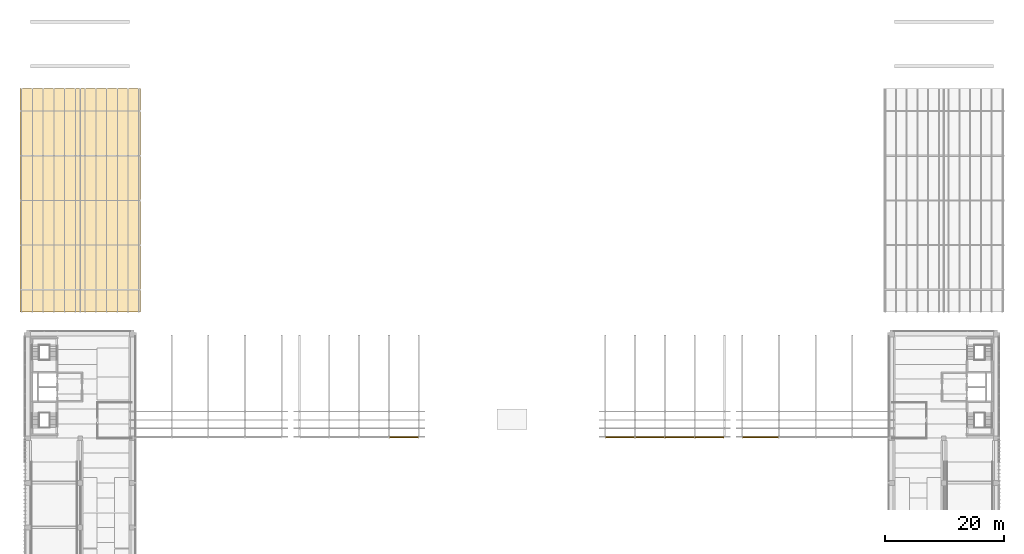
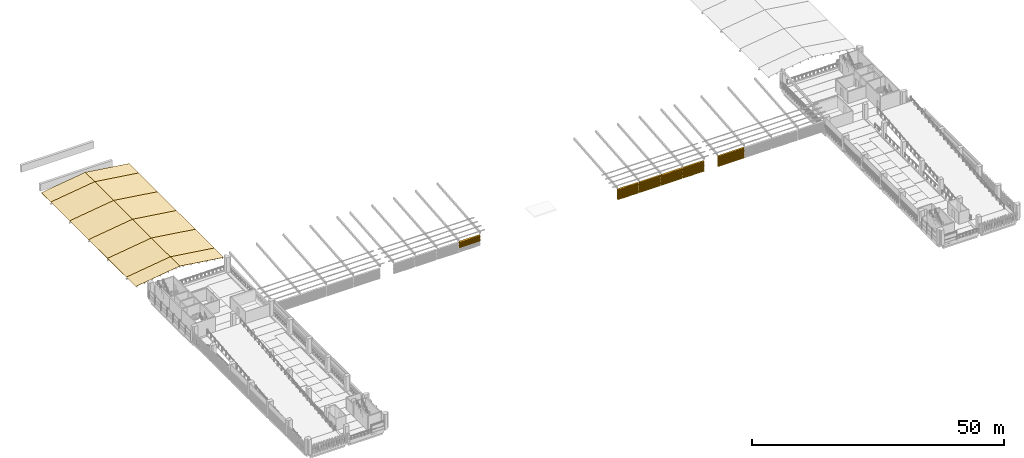
# One storey, part 45 of 52: 67 shading devices, 12 coverings, 1 element without a shape of its own.
"""IFC4 building model written with IfcOpenShell, lengths in metres."""

from ifc_helpers import new_model, si_unit, direction, frame, origin, place, context, subcontext, project, spatial, polyline, outline, extrude, material, layer, layer_set, type_object, element, aggregate, save


model = new_model("IFC4")

# Units and contexts
model_context = context("Model", 3, precision=1e-05, world=origin(), true_north=direction((0.0, 1.0)))
body_context = subcontext(model_context, "Body", "Model", "MODEL_VIEW")
ifc_project = project(units=[si_unit("LENGTHUNIT", "METRE"), si_unit("AREAUNIT", "SQUARE_METRE"), si_unit("VOLUMEUNIT", "CUBIC_METRE"), si_unit("PLANEANGLEUNIT", "RADIAN"), si_unit("MASSUNIT", "GRAM", prefix="KILO")], contexts=[model_context])

# Site, building, storey
site_placement = place(None, origin())
site = spatial("IfcSite", under=ifc_project, at=site_placement, CompositionType="ELEMENT")
building_placement = place(site_placement, origin())
building = spatial("IfcBuilding", under=site, at=building_placement, Name="Cour d'Honneur Mobility Palace", CompositionType="ELEMENT")
storey_placement = place(building_placement, frame((0.0, 0.0, 23.0)))
storey = spatial("IfcBuildingStorey", under=building, at=storey_placement, Name="L06", CompositionType="ELEMENT", Elevation=23.0)

# Roof, coverings
ifc_material_1 = material(Name="Zinc standing seam")
ifc_layer_1 = layer(ifc_material_1, 0.050048828125)
ifc_layer_set_1 = layer_set([ifc_layer_1], Name="Zinc standing seam")
roof_type = type_object("IfcRoofType", Name="Terrace roof gable", PredefinedType="GABLE_ROOF", material=ifc_layer_set_1)
roof_placement = place(storey_placement, origin())
roof = element("IfcRoof", 1, at=roof_placement, inside=storey, type_object=roof_type, Name="Cycle Roof Terrace roof", PredefinedType="GABLE_ROOF")
ifc_material_2 = material(Name="Zinc standing seam")
ifc_layer_2 = layer(ifc_material_2, 0.050048828125)
ifc_layer_set_2 = layer_set([ifc_layer_2], Name="Zinc standing seam")
covering_type = type_object("IfcCoveringType", Name="Terrace roof panel", PredefinedType="ROOFING", material=ifc_layer_set_2)
covering_1_placement = place(storey_placement, frame((-1.375, 66.14990234375, 0.696044921875), z_axis=(-0.138591825647, 0.0, 0.990349587703), x_axis=(0.990349587703, 0.0, 0.138591825647)))
covering_1 = element("IfcCovering", 2, at=covering_1_placement, type_object=covering_type, Name="Terrace roof panel TS-C1", PredefinedType="ROOFING", context=body_context, shape_type="SweptSolid", body=[
    extrude(outline(polyline([(0.0, 0.0), (10.173126032436034, 0.0), (10.173126032436034, 3.7499999999999996), (0.0, 3.7499999999999996), (0.0, 0.0)])), origin(), (0.0, 0.0, -1.0), 0.050048828125),
])
covering_2_placement = place(storey_placement, frame((-1.375, 69.89990234375, 0.696044921875), z_axis=(-0.138591825647, 0.0, 0.990349587703), x_axis=(0.990349587703, 0.0, 0.138591825647)))
covering_2 = element("IfcCovering", 3, at=covering_2_placement, type_object=covering_type, Name="Terrace roof panel TS-C2", PredefinedType="ROOFING", context=body_context, shape_type="SweptSolid", body=[
    extrude(outline(polyline([(0.0, 0.0), (10.173126032436034, 0.0), (10.173126032436034, 7.499999999999999), (0.0, 7.499999999999999), (0.0, 0.0)])), origin(), (0.0, 0.0, -1.0), 0.050048828125),
])
covering_3_placement = place(storey_placement, frame((-1.375, 77.39990234375, 0.696044921875), z_axis=(-0.138591825647, 0.0, 0.990349587703), x_axis=(0.990349587703, 0.0, 0.138591825647)))
covering_3 = element("IfcCovering", 4, at=covering_3_placement, type_object=covering_type, Name="Terrace roof panel TS-C3", PredefinedType="ROOFING", context=body_context, shape_type="SweptSolid", body=[
    extrude(outline(polyline([(0.0, 0.0), (10.173126032436034, 0.0), (10.173126032436034, 7.499999999999999), (0.0, 7.499999999999999), (0.0, 0.0)])), origin(), (0.0, 0.0, -1.0), 0.050048828125),
])
covering_4_placement = place(storey_placement, frame((-1.375, 84.89990234375, 0.696044921875), z_axis=(-0.138591825647, 0.0, 0.990349587703), x_axis=(0.990349587703, 0.0, 0.138591825647)))
covering_4 = element("IfcCovering", 5, at=covering_4_placement, type_object=covering_type, Name="Terrace roof panel TS-C4", PredefinedType="ROOFING", context=body_context, shape_type="SweptSolid", body=[
    extrude(outline(polyline([(0.0, 0.0), (10.173126032436034, 0.0), (10.173126032436034, 7.499999999999999), (0.0, 7.499999999999999), (0.0, 0.0)])), origin(), (0.0, 0.0, -1.0), 0.050048828125),
])
covering_5_placement = place(storey_placement, frame((-1.375, 92.39990234375, 0.696044921875), z_axis=(-0.138591825647, 0.0, 0.990349587703), x_axis=(0.990349587703, 0.0, 0.138591825647)))
covering_5 = element("IfcCovering", 6, at=covering_5_placement, type_object=covering_type, Name="Terrace roof panel TS-C5", PredefinedType="ROOFING", context=body_context, shape_type="SweptSolid", body=[
    extrude(outline(polyline([(0.0, 0.0), (10.173126032436034, 0.0), (10.173126032436034, 7.499999999999999), (0.0, 7.499999999999999), (0.0, 0.0)])), origin(), (0.0, 0.0, -1.0), 0.050048828125),
])
covering_6_placement = place(storey_placement, frame((-1.375, 99.89990234375, 0.696044921875), z_axis=(-0.138591825647, 0.0, 0.990349587703), x_axis=(0.990349587703, 0.0, 0.138591825647)))
covering_6 = element("IfcCovering", 7, at=covering_6_placement, type_object=covering_type, Name="Terrace roof panel TS-C6", PredefinedType="ROOFING", context=body_context, shape_type="SweptSolid", body=[
    extrude(outline(polyline([(0.0, 0.0), (10.173126032436034, 0.0), (10.173126032436034, 3.7499999999999996), (0.0, 3.7499999999999996), (0.0, 0.0)])), origin(), (0.0, 0.0, -1.0), 0.050048828125),
])
covering_7_placement = place(storey_placement, frame((8.699951171875, 66.14990234375, 2.10595703125), z_axis=(0.138591825647, 0.0, 0.990349587703), x_axis=(0.990349587703, 0.0, -0.138591825647)))
covering_7 = element("IfcCovering", 8, at=covering_7_placement, type_object=covering_type, Name="Terrace roof panel TS-C7", PredefinedType="ROOFING", context=body_context, shape_type="SweptSolid", body=[
    extrude(outline(polyline([(0.0, 0.0), (10.173126032436034, 0.0), (10.173126032436034, 3.7499999999999996), (0.0, 3.7499999999999996), (0.0, 0.0)])), origin(), (0.0, 0.0, -1.0), 0.050048828125),
])
covering_8_placement = place(storey_placement, frame((8.699951171875, 69.89990234375, 2.10595703125), z_axis=(0.138591825647, 0.0, 0.990349587703), x_axis=(0.990349587703, 0.0, -0.138591825647)))
covering_8 = element("IfcCovering", 9, at=covering_8_placement, type_object=covering_type, Name="Terrace roof panel TS-C8", PredefinedType="ROOFING", context=body_context, shape_type="SweptSolid", body=[
    extrude(outline(polyline([(0.0, 0.0), (10.173126032436034, 0.0), (10.173126032436034, 7.499999999999999), (0.0, 7.499999999999999), (0.0, 0.0)])), origin(), (0.0, 0.0, -1.0), 0.050048828125),
])
covering_9_placement = place(storey_placement, frame((8.699951171875, 77.39990234375, 2.10595703125), z_axis=(0.138591825647, 0.0, 0.990349587703), x_axis=(0.990349587703, 0.0, -0.138591825647)))
covering_9 = element("IfcCovering", 10, at=covering_9_placement, type_object=covering_type, Name="Terrace roof panel TS-C9", PredefinedType="ROOFING", context=body_context, shape_type="SweptSolid", body=[
    extrude(outline(polyline([(0.0, 0.0), (10.173126032436034, 0.0), (10.173126032436034, 7.499999999999999), (0.0, 7.499999999999999), (0.0, 0.0)])), origin(), (0.0, 0.0, -1.0), 0.050048828125),
])
covering_10_placement = place(storey_placement, frame((8.699951171875, 84.89990234375, 2.10595703125), z_axis=(0.138591825647, 0.0, 0.990349587703), x_axis=(0.990349587703, 0.0, -0.138591825647)))
covering_10 = element("IfcCovering", 11, at=covering_10_placement, type_object=covering_type, Name="Terrace roof panel TS-C10", PredefinedType="ROOFING", context=body_context, shape_type="SweptSolid", body=[
    extrude(outline(polyline([(0.0, 0.0), (10.173126032436034, 0.0), (10.173126032436034, 7.499999999999999), (0.0, 7.499999999999999), (0.0, 0.0)])), origin(), (0.0, 0.0, -1.0), 0.050048828125),
])
covering_11_placement = place(storey_placement, frame((8.699951171875, 92.39990234375, 2.10595703125), z_axis=(0.138591825647, 0.0, 0.990349587703), x_axis=(0.990349587703, 0.0, -0.138591825647)))
covering_11 = element("IfcCovering", 12, at=covering_11_placement, type_object=covering_type, Name="Terrace roof panel TS-C11", PredefinedType="ROOFING", context=body_context, shape_type="SweptSolid", body=[
    extrude(outline(polyline([(0.0, 0.0), (10.173126032436034, 0.0), (10.173126032436034, 7.499999999999999), (0.0, 7.499999999999999), (0.0, 0.0)])), origin(), (0.0, 0.0, -1.0), 0.050048828125),
])
covering_12_placement = place(storey_placement, frame((8.699951171875, 99.89990234375, 2.10595703125), z_axis=(0.138591825647, 0.0, 0.990349587703), x_axis=(0.990349587703, 0.0, -0.138591825647)))
covering_12 = element("IfcCovering", 13, at=covering_12_placement, type_object=covering_type, Name="Terrace roof panel TS-C12", PredefinedType="ROOFING", context=body_context, shape_type="SweptSolid", body=[
    extrude(outline(polyline([(0.0, 0.0), (10.173126032436034, 0.0), (10.173126032436034, 3.7499999999999996), (0.0, 3.7499999999999996), (0.0, 0.0)])), origin(), (0.0, 0.0, -1.0), 0.050048828125),
])
aggregate(roof, [covering_1, covering_2, covering_3, covering_4, covering_5, covering_6, covering_7, covering_8, covering_9, covering_10, covering_11, covering_12])

# Shading devices
ifc_material_3 = material(Name="Terracotta", Category="masonry")
ifc_layer_3 = layer(ifc_material_3, 0.02490234375)
ifc_layer_set_3 = layer_set([ifc_layer_3], Name="Terracotta")
shading_device_type = type_object("IfcShadingDeviceType", Name="Terracotta louvre blade", PredefinedType="JALOUSIE", material=ifc_layer_set_3)
for number, where, z_axis, x_axis, name in (
    (14, (119.89990234375, 45.01904296875, 0.124267578125), (0.0, -0.707513749017, 0.706699578995), (1.0, 0.0, 0.0), "Louvre blade LV-2 FE PG-FE-S1 3"),
    (15, (119.89990234375, 45.01904296875, 0.33642578125), (0.0, -0.707513749017, 0.706699578995), (1.0, 0.0, 0.0), "Louvre blade LV-2 FE PG-FE-S1 4"),
    (16, (119.89990234375, 45.01904296875, 0.548583984375), (0.0, -0.707513749017, 0.706699578995), (1.0, 0.0, 0.0), "Louvre blade LV-2 FE PG-FE-S1 5"),
    (17, (119.89990234375, 45.01904296875, 0.7607421875), (0.0, -0.707513749017, 0.706699578995), (1.0, 0.0, 0.0), "Louvre blade LV-2 FE PG-FE-S1 6"),
):
    element("IfcShadingDevice", number, at=place(storey_placement, frame(where, z_axis=z_axis, x_axis=x_axis)), inside=storey, type_object=shading_device_type, Name=name, PredefinedType="JALOUSIE", context=body_context, shape_type="SweptSolid", body=[
        extrude(outline(polyline([(0.0, 0.0), (5.9501953125, 0.0), (5.9501953125, 0.29986442442957895), (0.0, 0.29986442442957895), (0.0, 0.0)])), origin(), (0.0, 0.0, -1.0), 0.02490234375),
    ])
shading_device_1_placement = place(storey_placement, frame((119.89990234375, 45.01904296875, 0.972900390625), z_axis=(0.0, -0.707106781187, 0.707106781187), x_axis=(1.0, 0.0, 0.0)))
element("IfcShadingDevice", 18, at=shading_device_1_placement, inside=storey, type_object=shading_device_type, Name="Louvre blade LV-2 FE PG-FE-S1 7", PredefinedType="JALOUSIE", context=body_context, shape_type="SweptSolid", body=[
    extrude(outline(polyline([(0.0, 0.0), (5.9501953125, 0.0), (5.9501953125, 0.2996917412450797), (0.0, 0.2996917412450797), (0.0, 0.0)])), origin(), (0.0, 0.0, -1.0), 0.02490234375),
])
for number, where, z_axis, x_axis, name in (
    (19, (119.89990234375, 45.01904296875, 1.184814453125), (0.0, -0.707513749017, 0.706699578995), (1.0, 0.0, 0.0), "Louvre blade LV-2 FE PG-FE-S1 8"),
    (20, (119.89990234375, 45.01904296875, 1.39697265625), (0.0, -0.707513749017, 0.706699578995), (1.0, 0.0, 0.0), "Louvre blade LV-2 FE PG-FE-S1 9"),
    (21, (119.89990234375, 45.01904296875, 1.609130859375), (0.0, -0.707513749017, 0.706699578995), (1.0, 0.0, 0.0), "Louvre blade LV-2 FE PG-FE-S1 10"),
    (22, (119.89990234375, 45.01904296875, 1.8212890625), (0.0, -0.707513749017, 0.706699578995), (1.0, 0.0, 0.0), "Louvre blade LV-2 FE PG-FE-S1 11"),
    (23, (119.89990234375, 45.01904296875, 2.033447265625), (0.0, -0.707513749017, 0.706699578995), (1.0, 0.0, 0.0), "Louvre blade LV-2 FE PG-FE-S1 12"),
    (24, (119.89990234375, 45.01904296875, 2.24560546875), (0.0, -0.707513749017, 0.706699578995), (1.0, 0.0, 0.0), "Louvre blade LV-2 FE PG-FE-S1 13"),
    (25, (119.89990234375, 45.01904296875, 2.457763671875), (0.0, -0.707513749017, 0.706699578995), (1.0, 0.0, 0.0), "Louvre blade LV-2 FE PG-FE-S1 14"),
):
    element("IfcShadingDevice", number, at=place(storey_placement, frame(where, z_axis=z_axis, x_axis=x_axis)), inside=storey, type_object=shading_device_type, Name=name, PredefinedType="JALOUSIE", context=body_context, shape_type="SweptSolid", body=[
        extrude(outline(polyline([(0.0, 0.0), (5.9501953125, 0.0), (5.9501953125, 0.29986442442957895), (0.0, 0.29986442442957895), (0.0, 0.0)])), origin(), (0.0, 0.0, -1.0), 0.02490234375),
    ])
for number, where, z_axis, x_axis, name in (
    (26, (96.89990234375, 45.01904296875, 0.124267578125), (0.0, -0.707513749017, 0.706699578995), (1.0, 0.0, 0.0), "Louvre blade LV-2 PE PG-PE-S1 3"),
    (27, (96.89990234375, 45.01904296875, 0.33642578125), (0.0, -0.707513749017, 0.706699578995), (1.0, 0.0, 0.0), "Louvre blade LV-2 PE PG-PE-S1 4"),
    (28, (96.89990234375, 45.01904296875, 0.548583984375), (0.0, -0.707513749017, 0.706699578995), (1.0, 0.0, 0.0), "Louvre blade LV-2 PE PG-PE-S1 5"),
    (29, (96.89990234375, 45.01904296875, 0.7607421875), (0.0, -0.707513749017, 0.706699578995), (1.0, 0.0, 0.0), "Louvre blade LV-2 PE PG-PE-S1 6"),
):
    element("IfcShadingDevice", number, at=place(storey_placement, frame(where, z_axis=z_axis, x_axis=x_axis)), inside=storey, type_object=shading_device_type, Name=name, PredefinedType="JALOUSIE", context=body_context, shape_type="SweptSolid", body=[
        extrude(outline(polyline([(0.0, 0.0), (4.800048828125, 0.0), (4.800048828125, 0.29986442442957895), (0.0, 0.29986442442957895), (0.0, 0.0)])), origin(), (0.0, 0.0, -1.0), 0.02490234375),
    ])
shading_device_2_placement = place(storey_placement, frame((96.89990234375, 45.01904296875, 0.972900390625), z_axis=(0.0, -0.707106781187, 0.707106781187), x_axis=(1.0, 0.0, 0.0)))
element("IfcShadingDevice", 30, at=shading_device_2_placement, inside=storey, type_object=shading_device_type, Name="Louvre blade LV-2 PE PG-PE-S1 7", PredefinedType="JALOUSIE", context=body_context, shape_type="SweptSolid", body=[
    extrude(outline(polyline([(0.0, 0.0), (4.800048828125, 0.0), (4.800048828125, 0.2996917412450797), (0.0, 0.2996917412450797), (0.0, 0.0)])), origin(), (0.0, 0.0, -1.0), 0.02490234375),
])
for number, where, z_axis, x_axis, name in (
    (31, (96.89990234375, 45.01904296875, 1.184814453125), (0.0, -0.707513749017, 0.706699578995), (1.0, 0.0, 0.0), "Louvre blade LV-2 PE PG-PE-S1 8"),
    (32, (96.89990234375, 45.01904296875, 1.39697265625), (0.0, -0.707513749017, 0.706699578995), (1.0, 0.0, 0.0), "Louvre blade LV-2 PE PG-PE-S1 9"),
    (33, (96.89990234375, 45.01904296875, 1.609130859375), (0.0, -0.707513749017, 0.706699578995), (1.0, 0.0, 0.0), "Louvre blade LV-2 PE PG-PE-S1 10"),
    (34, (96.89990234375, 45.01904296875, 1.8212890625), (0.0, -0.707513749017, 0.706699578995), (1.0, 0.0, 0.0), "Louvre blade LV-2 PE PG-PE-S1 11"),
    (35, (96.89990234375, 45.01904296875, 2.033447265625), (0.0, -0.707513749017, 0.706699578995), (1.0, 0.0, 0.0), "Louvre blade LV-2 PE PG-PE-S1 12"),
    (36, (96.89990234375, 45.01904296875, 2.24560546875), (0.0, -0.707513749017, 0.706699578995), (1.0, 0.0, 0.0), "Louvre blade LV-2 PE PG-PE-S1 13"),
    (37, (96.89990234375, 45.01904296875, 2.457763671875), (0.0, -0.707513749017, 0.706699578995), (1.0, 0.0, 0.0), "Louvre blade LV-2 PE PG-PE-S1 14"),
    (38, (101.89990234375, 45.01904296875, 0.124267578125), (0.0, -0.707513749017, 0.706699578995), (1.0, 0.0, 0.0), "Louvre blade LV-2 PE PG-PE-S2 3"),
    (39, (101.89990234375, 45.01904296875, 0.33642578125), (0.0, -0.707513749017, 0.706699578995), (1.0, 0.0, 0.0), "Louvre blade LV-2 PE PG-PE-S2 4"),
    (40, (101.89990234375, 45.01904296875, 0.548583984375), (0.0, -0.707513749017, 0.706699578995), (1.0, 0.0, 0.0), "Louvre blade LV-2 PE PG-PE-S2 5"),
    (41, (101.89990234375, 45.01904296875, 0.7607421875), (0.0, -0.707513749017, 0.706699578995), (1.0, 0.0, 0.0), "Louvre blade LV-2 PE PG-PE-S2 6"),
):
    element("IfcShadingDevice", number, at=place(storey_placement, frame(where, z_axis=z_axis, x_axis=x_axis)), inside=storey, type_object=shading_device_type, Name=name, PredefinedType="JALOUSIE", context=body_context, shape_type="SweptSolid", body=[
        extrude(outline(polyline([(0.0, 0.0), (4.800048828125, 0.0), (4.800048828125, 0.29986442442957895), (0.0, 0.29986442442957895), (0.0, 0.0)])), origin(), (0.0, 0.0, -1.0), 0.02490234375),
    ])
shading_device_3_placement = place(storey_placement, frame((101.89990234375, 45.01904296875, 0.972900390625), z_axis=(0.0, -0.707106781187, 0.707106781187), x_axis=(1.0, 0.0, 0.0)))
element("IfcShadingDevice", 42, at=shading_device_3_placement, inside=storey, type_object=shading_device_type, Name="Louvre blade LV-2 PE PG-PE-S2 7", PredefinedType="JALOUSIE", context=body_context, shape_type="SweptSolid", body=[
    extrude(outline(polyline([(0.0, 0.0), (4.800048828125, 0.0), (4.800048828125, 0.2996917412450797), (0.0, 0.2996917412450797), (0.0, 0.0)])), origin(), (0.0, 0.0, -1.0), 0.02490234375),
])
for number, where, z_axis, x_axis, name in (
    (43, (101.89990234375, 45.01904296875, 1.184814453125), (0.0, -0.707513749017, 0.706699578995), (1.0, 0.0, 0.0), "Louvre blade LV-2 PE PG-PE-S2 8"),
    (44, (101.89990234375, 45.01904296875, 1.39697265625), (0.0, -0.707513749017, 0.706699578995), (1.0, 0.0, 0.0), "Louvre blade LV-2 PE PG-PE-S2 9"),
    (45, (101.89990234375, 45.01904296875, 1.609130859375), (0.0, -0.707513749017, 0.706699578995), (1.0, 0.0, 0.0), "Louvre blade LV-2 PE PG-PE-S2 10"),
    (46, (101.89990234375, 45.01904296875, 1.8212890625), (0.0, -0.707513749017, 0.706699578995), (1.0, 0.0, 0.0), "Louvre blade LV-2 PE PG-PE-S2 11"),
    (47, (101.89990234375, 45.01904296875, 2.033447265625), (0.0, -0.707513749017, 0.706699578995), (1.0, 0.0, 0.0), "Louvre blade LV-2 PE PG-PE-S2 12"),
    (48, (101.89990234375, 45.01904296875, 2.24560546875), (0.0, -0.707513749017, 0.706699578995), (1.0, 0.0, 0.0), "Louvre blade LV-2 PE PG-PE-S2 13"),
    (49, (101.89990234375, 45.01904296875, 2.457763671875), (0.0, -0.707513749017, 0.706699578995), (1.0, 0.0, 0.0), "Louvre blade LV-2 PE PG-PE-S2 14"),
    (50, (106.89990234375, 45.01904296875, 0.124267578125), (0.0, -0.707513749017, 0.706699578995), (1.0, 0.0, 0.0), "Louvre blade LV-2 PE PG-PE-S3 3"),
    (51, (106.89990234375, 45.01904296875, 0.33642578125), (0.0, -0.707513749017, 0.706699578995), (1.0, 0.0, 0.0), "Louvre blade LV-2 PE PG-PE-S3 4"),
    (52, (106.89990234375, 45.01904296875, 0.548583984375), (0.0, -0.707513749017, 0.706699578995), (1.0, 0.0, 0.0), "Louvre blade LV-2 PE PG-PE-S3 5"),
    (53, (106.89990234375, 45.01904296875, 0.7607421875), (0.0, -0.707513749017, 0.706699578995), (1.0, 0.0, 0.0), "Louvre blade LV-2 PE PG-PE-S3 6"),
):
    element("IfcShadingDevice", number, at=place(storey_placement, frame(where, z_axis=z_axis, x_axis=x_axis)), inside=storey, type_object=shading_device_type, Name=name, PredefinedType="JALOUSIE", context=body_context, shape_type="SweptSolid", body=[
        extrude(outline(polyline([(0.0, 0.0), (4.800048828125, 0.0), (4.800048828125, 0.29986442442957895), (0.0, 0.29986442442957895), (0.0, 0.0)])), origin(), (0.0, 0.0, -1.0), 0.02490234375),
    ])
shading_device_4_placement = place(storey_placement, frame((106.89990234375, 45.01904296875, 0.972900390625), z_axis=(0.0, -0.707106781187, 0.707106781187), x_axis=(1.0, 0.0, 0.0)))
element("IfcShadingDevice", 54, at=shading_device_4_placement, inside=storey, type_object=shading_device_type, Name="Louvre blade LV-2 PE PG-PE-S3 7", PredefinedType="JALOUSIE", context=body_context, shape_type="SweptSolid", body=[
    extrude(outline(polyline([(0.0, 0.0), (4.800048828125, 0.0), (4.800048828125, 0.2996917412450797), (0.0, 0.2996917412450797), (0.0, 0.0)])), origin(), (0.0, 0.0, -1.0), 0.02490234375),
])
for number, where, z_axis, x_axis, name in (
    (55, (106.89990234375, 45.01904296875, 1.184814453125), (0.0, -0.707513749017, 0.706699578995), (1.0, 0.0, 0.0), "Louvre blade LV-2 PE PG-PE-S3 8"),
    (56, (106.89990234375, 45.01904296875, 1.39697265625), (0.0, -0.707513749017, 0.706699578995), (1.0, 0.0, 0.0), "Louvre blade LV-2 PE PG-PE-S3 9"),
    (57, (106.89990234375, 45.01904296875, 1.609130859375), (0.0, -0.707513749017, 0.706699578995), (1.0, 0.0, 0.0), "Louvre blade LV-2 PE PG-PE-S3 10"),
    (58, (106.89990234375, 45.01904296875, 1.8212890625), (0.0, -0.707513749017, 0.706699578995), (1.0, 0.0, 0.0), "Louvre blade LV-2 PE PG-PE-S3 11"),
    (59, (106.89990234375, 45.01904296875, 2.033447265625), (0.0, -0.707513749017, 0.706699578995), (1.0, 0.0, 0.0), "Louvre blade LV-2 PE PG-PE-S3 12"),
    (60, (106.89990234375, 45.01904296875, 2.24560546875), (0.0, -0.707513749017, 0.706699578995), (1.0, 0.0, 0.0), "Louvre blade LV-2 PE PG-PE-S3 13"),
    (61, (106.89990234375, 45.01904296875, 2.457763671875), (0.0, -0.707513749017, 0.706699578995), (1.0, 0.0, 0.0), "Louvre blade LV-2 PE PG-PE-S3 14"),
    (62, (111.89990234375, 45.01904296875, 0.124267578125), (0.0, -0.707513749017, 0.706699578995), (1.0, 0.0, 0.0), "Louvre blade LV-2 PE PG-PE-S4 3"),
    (63, (111.89990234375, 45.01904296875, 0.33642578125), (0.0, -0.707513749017, 0.706699578995), (1.0, 0.0, 0.0), "Louvre blade LV-2 PE PG-PE-S4 4"),
    (64, (111.89990234375, 45.01904296875, 0.548583984375), (0.0, -0.707513749017, 0.706699578995), (1.0, 0.0, 0.0), "Louvre blade LV-2 PE PG-PE-S4 5"),
    (65, (111.89990234375, 45.01904296875, 0.7607421875), (0.0, -0.707513749017, 0.706699578995), (1.0, 0.0, 0.0), "Louvre blade LV-2 PE PG-PE-S4 6"),
):
    element("IfcShadingDevice", number, at=place(storey_placement, frame(where, z_axis=z_axis, x_axis=x_axis)), inside=storey, type_object=shading_device_type, Name=name, PredefinedType="JALOUSIE", context=body_context, shape_type="SweptSolid", body=[
        extrude(outline(polyline([(0.0, 0.0), (4.800048828125, 0.0), (4.800048828125, 0.29986442442957895), (0.0, 0.29986442442957895), (0.0, 0.0)])), origin(), (0.0, 0.0, -1.0), 0.02490234375),
    ])
shading_device_5_placement = place(storey_placement, frame((111.89990234375, 45.01904296875, 0.972900390625), z_axis=(0.0, -0.707106781187, 0.707106781187), x_axis=(1.0, 0.0, 0.0)))
element("IfcShadingDevice", 66, at=shading_device_5_placement, inside=storey, type_object=shading_device_type, Name="Louvre blade LV-2 PE PG-PE-S4 7", PredefinedType="JALOUSIE", context=body_context, shape_type="SweptSolid", body=[
    extrude(outline(polyline([(0.0, 0.0), (4.800048828125, 0.0), (4.800048828125, 0.2996917412450797), (0.0, 0.2996917412450797), (0.0, 0.0)])), origin(), (0.0, 0.0, -1.0), 0.02490234375),
])
for number, where, z_axis, x_axis, name in (
    (67, (111.89990234375, 45.01904296875, 1.184814453125), (0.0, -0.707513749017, 0.706699578995), (1.0, 0.0, 0.0), "Louvre blade LV-2 PE PG-PE-S4 8"),
    (68, (111.89990234375, 45.01904296875, 1.39697265625), (0.0, -0.707513749017, 0.706699578995), (1.0, 0.0, 0.0), "Louvre blade LV-2 PE PG-PE-S4 9"),
    (69, (111.89990234375, 45.01904296875, 1.609130859375), (0.0, -0.707513749017, 0.706699578995), (1.0, 0.0, 0.0), "Louvre blade LV-2 PE PG-PE-S4 10"),
    (70, (111.89990234375, 45.01904296875, 1.8212890625), (0.0, -0.707513749017, 0.706699578995), (1.0, 0.0, 0.0), "Louvre blade LV-2 PE PG-PE-S4 11"),
    (71, (111.89990234375, 45.01904296875, 2.033447265625), (0.0, -0.707513749017, 0.706699578995), (1.0, 0.0, 0.0), "Louvre blade LV-2 PE PG-PE-S4 12"),
    (72, (111.89990234375, 45.01904296875, 2.24560546875), (0.0, -0.707513749017, 0.706699578995), (1.0, 0.0, 0.0), "Louvre blade LV-2 PE PG-PE-S4 13"),
    (73, (111.89990234375, 45.01904296875, 2.457763671875), (0.0, -0.707513749017, 0.706699578995), (1.0, 0.0, 0.0), "Louvre blade LV-2 PE PG-PE-S4 14"),
):
    element("IfcShadingDevice", number, at=place(storey_placement, frame(where, z_axis=z_axis, x_axis=x_axis)), inside=storey, type_object=shading_device_type, Name=name, PredefinedType="JALOUSIE", context=body_context, shape_type="SweptSolid", body=[
        extrude(outline(polyline([(0.0, 0.0), (4.800048828125, 0.0), (4.800048828125, 0.29986442442957895), (0.0, 0.29986442442957895), (0.0, 0.0)])), origin(), (0.0, 0.0, -1.0), 0.02490234375),
    ])
for number, where, z_axis, x_axis, name in (
    (74, (60.60009765625, 45.01904296875, 1.184814453125), (0.0, -0.707513749017, 0.706699578995), (1.0, 0.0, 0.0), "Louvre blade LV-2 PW PG-PW-S4 8"),
    (75, (60.60009765625, 45.01904296875, 1.39697265625), (0.0, -0.707513749017, 0.706699578995), (1.0, 0.0, 0.0), "Louvre blade LV-2 PW PG-PW-S4 9"),
    (76, (60.60009765625, 45.01904296875, 1.609130859375), (0.0, -0.707513749017, 0.706699578995), (1.0, 0.0, 0.0), "Louvre blade LV-2 PW PG-PW-S4 10"),
    (77, (60.60009765625, 45.01904296875, 1.8212890625), (0.0, -0.707513749017, 0.706699578995), (1.0, 0.0, 0.0), "Louvre blade LV-2 PW PG-PW-S4 11"),
    (78, (60.60009765625, 45.01904296875, 2.033447265625), (0.0, -0.707513749017, 0.706699578995), (1.0, 0.0, 0.0), "Louvre blade LV-2 PW PG-PW-S4 12"),
    (79, (60.60009765625, 45.01904296875, 2.24560546875), (0.0, -0.707513749017, 0.706699578995), (1.0, 0.0, 0.0), "Louvre blade LV-2 PW PG-PW-S4 13"),
    (80, (60.60009765625, 45.01904296875, 2.457763671875), (0.0, -0.707513749017, 0.706699578995), (1.0, 0.0, 0.0), "Louvre blade LV-2 PW PG-PW-S4 14"),
):
    element("IfcShadingDevice", number, at=place(storey_placement, frame(where, z_axis=z_axis, x_axis=x_axis)), inside=storey, type_object=shading_device_type, Name=name, PredefinedType="JALOUSIE", context=body_context, shape_type="SweptSolid", body=[
        extrude(outline(polyline([(0.0, 0.0), (4.7998046875, 0.0), (4.7998046875, 0.29986442442957895), (0.0, 0.29986442442957895), (0.0, 0.0)])), origin(), (0.0, 0.0, -1.0), 0.02490234375),
    ])

save(model, "model.ifc")
